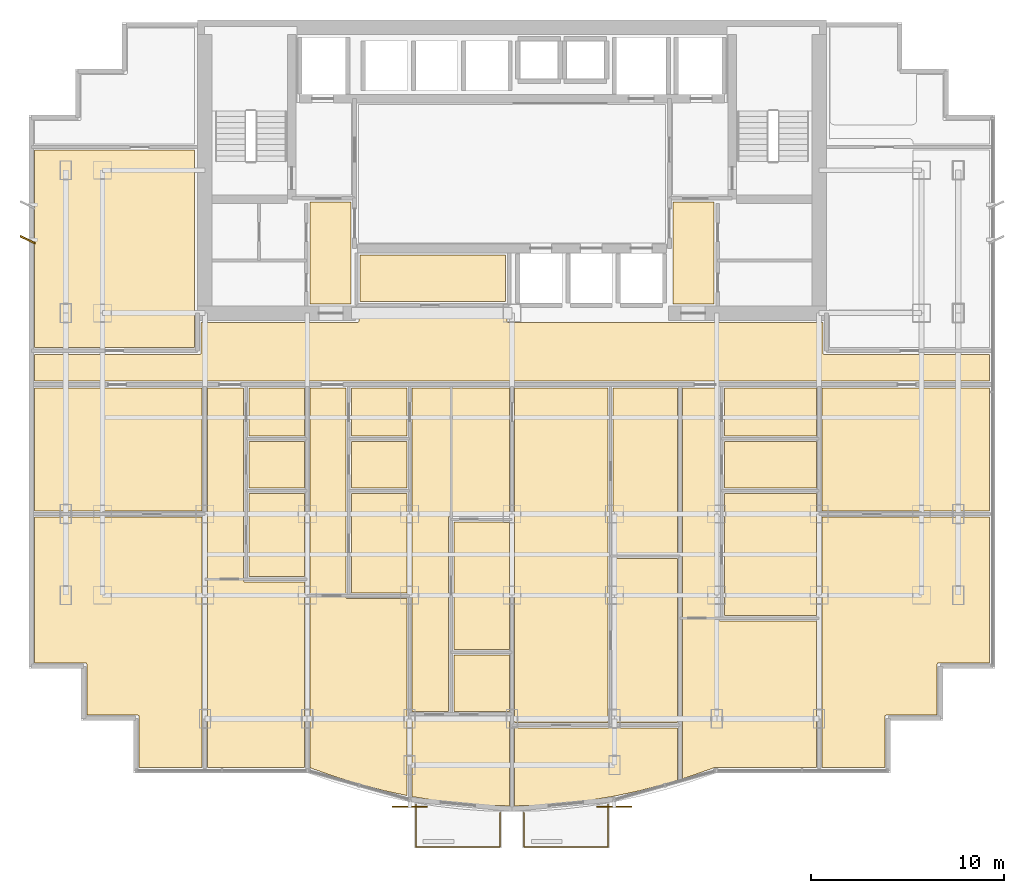
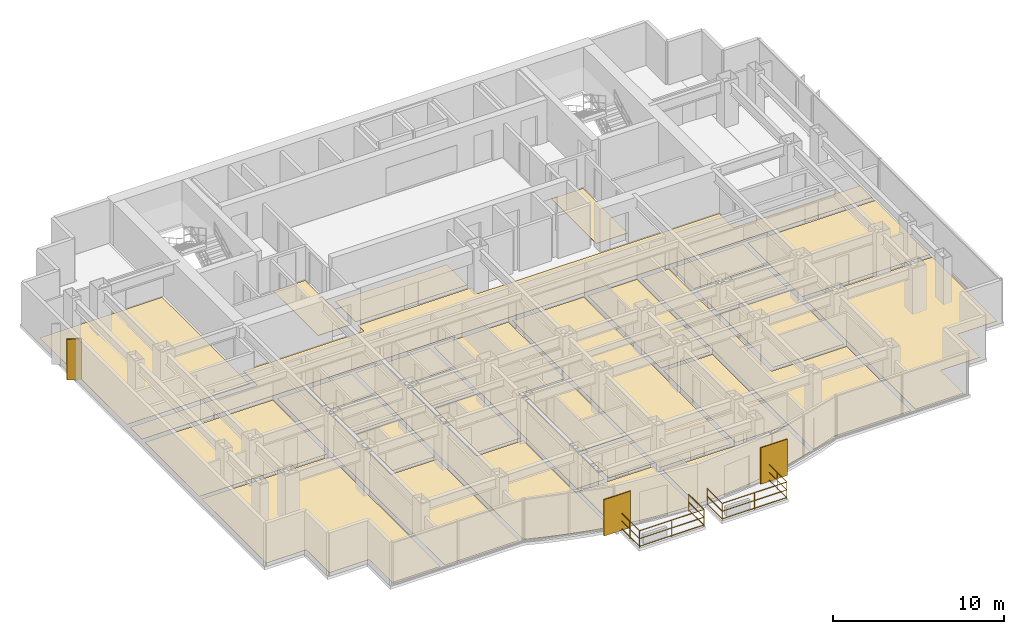
# One storey, part 11 of 12: 29 coverings, 3 shading devices, 2 railings.
"""IFC4 building model written with IfcOpenShell, lengths in metres."""

from ifc_helpers import new_model, si_unit, direction, frame, origin, origin_2d, place, context, subcontext, project, spatial, polyline, rectangle, circle, outline, extrude, source, transform, mapped, material, layer, layer_set, type_object, element, save


model = new_model("IFC4")

# Units and contexts
model_context = context("Model", 3, precision=1e-05, world=origin(), true_north=direction((0.0, 1.0)))
body_context = subcontext(model_context, "Body", "Model", "MODEL_VIEW")
ifc_project = project(units=[si_unit("LENGTHUNIT", "METRE"), si_unit("AREAUNIT", "SQUARE_METRE"), si_unit("VOLUMEUNIT", "CUBIC_METRE"), si_unit("PLANEANGLEUNIT", "RADIAN"), si_unit("MASSUNIT", "GRAM", prefix="KILO")], contexts=[model_context])

# Site, building, storey
site_placement = place(None, origin())
site = spatial("IfcSite", under=ifc_project, at=site_placement, CompositionType="ELEMENT")
building_placement = place(site_placement, origin())
building = spatial("IfcBuilding", under=site, at=building_placement, Name="Qianlan Lanfeng Residences", CompositionType="ELEMENT")
storey_placement = place(building_placement, frame((0.0, 0.0, 121.300048828125)))
storey = spatial("IfcBuildingStorey", under=building, at=storey_placement, Name="L33", CompositionType="ELEMENT", Elevation=121.300048828125)

# Coverings
ifc_material_1 = material(Name="Honed Taitung Granite Stone Flooring", Category="masonry")
ifc_layer_1 = layer(ifc_material_1, 0.030029296875)
ifc_layer_set_1 = layer_set([ifc_layer_1], Name="Honed Taitung Granite Stone Flooring")
covering_type_1 = type_object("IfcCoveringType", Name="FLR-STN-30", PredefinedType="FLOORING", material=ifc_layer_set_1)
covering_1_placement = place(storey_placement, origin())
element("IfcCovering", 1, at=covering_1_placement, inside=storey, type_object=covering_type_1, Name="L33 Residential Corridor Floor Finish", PredefinedType="FLOORING", context=body_context, shape_type="SweptSolid", body=[
    extrude(outline(polyline([(1.7900390625, 21.679931640625), (51.2099609375, 21.679931640625), (51.2099609375, 23.070068359375), (42.6650390625, 23.070068359375), (42.657958984375, 23.070068359375), (42.65087890625, 23.071044921875), (42.64501953125, 23.072998046875), (42.637939453125, 23.074951171875), (42.632080078125, 23.077880859375), (42.6259765625, 23.08203125), (42.62109375, 23.0859375), (42.615966796875, 23.091064453125), (42.611083984375, 23.095947265625), (42.60693359375, 23.10107421875), (42.60302734375, 23.10693359375), (42.60009765625, 23.113037109375), (42.597900390625, 23.1201171875), (42.595947265625, 23.1259765625), (42.594970703125, 23.133056640625), (42.594970703125, 23.139892578125), (42.594970703125, 24.72509765625), (26.300048828125, 24.72509765625), (26.29296875, 24.72509765625), (26.285888671875, 24.72607421875), (26.280029296875, 24.72802734375), (26.27294921875, 24.72998046875), (26.26708984375, 24.73291015625), (26.260986328125, 24.737060546875), (26.256103515625, 24.740966796875), (26.2509765625, 24.74609375), (26.24609375, 24.7509765625), (26.241943359375, 24.756103515625), (26.238037109375, 24.761962890625), (26.235107421875, 24.76806640625), (26.23291015625, 24.77490234375), (26.23095703125, 24.781005859375), (26.22998046875, 24.7880859375), (26.22998046875, 24.794921875), (26.22998046875, 25.429931640625), (18.570068359375, 25.429931640625), (18.570068359375, 24.794921875), (18.570068359375, 24.7880859375), (18.569091796875, 24.781005859375), (18.56689453125, 24.77490234375), (18.56494140625, 24.76806640625), (18.56201171875, 24.761962890625), (18.55810546875, 24.756103515625), (18.553955078125, 24.7509765625), (18.549072265625, 24.74609375), (18.5439453125, 24.740966796875), (18.5390625, 24.737060546875), (18.532958984375, 24.73291015625), (18.527099609375, 24.72998046875), (18.52001953125, 24.72802734375), (18.513916015625, 24.72607421875), (18.507080078125, 24.72509765625), (18.5, 24.72509765625), (10.405029296875, 24.72509765625), (10.405029296875, 23.139892578125), (10.405029296875, 23.133056640625), (10.404052734375, 23.1259765625), (10.402099609375, 23.1201171875), (10.39990234375, 23.113037109375), (10.39697265625, 23.10693359375), (10.39306640625, 23.10107421875), (10.388916015625, 23.095947265625), (10.384033203125, 23.091064453125), (10.37890625, 23.0859375), (10.3740234375, 23.08203125), (10.367919921875, 23.077880859375), (10.362060546875, 23.074951171875), (10.35498046875, 23.072998046875), (10.34912109375, 23.071044921875), (10.342041015625, 23.070068359375), (10.3349609375, 23.070068359375), (1.7900390625, 23.070068359375), (1.7900390625, 21.679931640625)])), origin(), (0.0, 0.0, 1.0), 0.030029296875),
])
covering_2_placement = place(storey_placement, origin())
element("IfcCovering", 2, at=covering_2_placement, inside=storey, type_object=covering_type_1, Name="L33 Lift Lobby Floor Finish", PredefinedType="FLOORING", context=body_context, shape_type="SweptSolid", body=[
    extrude(outline(polyline([(16.030029296875, 25.68505859375), (18.169921875, 25.68505859375), (18.169921875, 30.949951171875), (16.030029296875, 30.949951171875), (16.030029296875, 25.68505859375)])), origin(), (0.0, 0.0, 1.0), 0.030029296875),
])
covering_3_placement = place(storey_placement, origin())
element("IfcCovering", 3, at=covering_3_placement, inside=storey, type_object=covering_type_1, Name="L33 Lift Lobby Floor Finish", PredefinedType="FLOORING", context=body_context, shape_type="SweptSolid", body=[
    extrude(outline(polyline([(34.830078125, 25.68505859375), (36.969970703125, 25.68505859375), (36.969970703125, 30.949951171875), (34.830078125, 30.949951171875), (34.830078125, 25.68505859375)])), origin(), (0.0, 0.0, 1.0), 0.030029296875),
])
ifc_material_2 = material(Name="Slip-Resistant Porcelain Tile Flooring")
ifc_layer_2 = layer(ifc_material_2, 0.02001953125)
ifc_layer_set_2 = layer_set([ifc_layer_2], Name="Slip-Resistant Porcelain Tile Flooring")
covering_type_2 = type_object("IfcCoveringType", Name="FLR-TIL-20", PredefinedType="FLOORING", material=ifc_layer_set_2)
covering_4_placement = place(storey_placement, origin())
element("IfcCovering", 4, at=covering_4_placement, inside=storey, type_object=covering_type_2, Name="L33 Kitchen Floor Finish", PredefinedType="FLOORING", context=body_context, shape_type="SweptSolid", body=[
    extrude(outline(polyline([(12.889892578125, 16.139892578125), (15.760009765625, 16.139892578125), (15.760009765625, 18.56005859375), (12.889892578125, 18.56005859375), (12.889892578125, 16.139892578125)])), origin(), (0.0, 0.0, 1.0), 0.02001953125),
])
covering_5_placement = place(storey_placement, origin())
element("IfcCovering", 5, at=covering_5_placement, inside=storey, type_object=covering_type_2, Name="L33 Bathroom Floor Finish", PredefinedType="FLOORING", context=body_context, shape_type="SweptSolid", body=[
    extrude(outline(polyline([(12.889892578125, 18.840087890625), (15.760009765625, 18.840087890625), (15.760009765625, 21.330078125), (12.889892578125, 21.330078125), (12.889892578125, 18.840087890625)])), origin(), (0.0, 0.0, 1.0), 0.02001953125),
])
covering_6_placement = place(storey_placement, origin())
element("IfcCovering", 6, at=covering_6_placement, inside=storey, type_object=covering_type_2, Name="L33 Kitchen Floor Finish", PredefinedType="FLOORING", context=body_context, shape_type="SweptSolid", body=[
    extrude(outline(polyline([(18.18994140625, 16.139892578125), (21.06005859375, 16.139892578125), (21.06005859375, 18.56005859375), (18.18994140625, 18.56005859375), (18.18994140625, 16.139892578125)])), origin(), (0.0, 0.0, 1.0), 0.02001953125),
])
covering_7_placement = place(storey_placement, origin())
element("IfcCovering", 7, at=covering_7_placement, inside=storey, type_object=covering_type_2, Name="L33 Bathroom Floor Finish", PredefinedType="FLOORING", context=body_context, shape_type="SweptSolid", body=[
    extrude(outline(polyline([(18.18994140625, 18.840087890625), (21.06005859375, 18.840087890625), (21.06005859375, 21.330078125), (18.18994140625, 21.330078125), (18.18994140625, 18.840087890625)])), origin(), (0.0, 0.0, 1.0), 0.02001953125),
])
covering_8_placement = place(storey_placement, origin())
element("IfcCovering", 8, at=covering_8_placement, inside=storey, type_object=covering_type_2, Name="L33 En-Suite Bathroom Floor Finish", PredefinedType="FLOORING", context=body_context, shape_type="SweptSolid", body=[
    extrude(outline(polyline([(23.489990234375, 4.5869140625), (26.3701171875, 4.5869140625), (26.3701171875, 7.507080078125), (23.489990234375, 7.507080078125), (23.489990234375, 4.5869140625)])), origin(), (0.0, 0.0, 1.0), 0.02001953125),
])
covering_9_placement = place(storey_placement, origin())
element("IfcCovering", 9, at=covering_9_placement, inside=storey, type_object=covering_type_2, Name="L33 Kitchen Floor Finish", PredefinedType="FLOORING", context=body_context, shape_type="SweptSolid", body=[
    extrude(outline(polyline([(37.489990234375, 16.139892578125), (42.260009765625, 16.139892578125), (42.260009765625, 18.56005859375), (37.489990234375, 18.56005859375), (37.489990234375, 16.139892578125)])), origin(), (0.0, 0.0, 1.0), 0.02001953125),
])
covering_10_placement = place(storey_placement, origin())
element("IfcCovering", 10, at=covering_10_placement, inside=storey, type_object=covering_type_2, Name="L33 Bathroom Floor Finish", PredefinedType="FLOORING", context=body_context, shape_type="SweptSolid", body=[
    extrude(outline(polyline([(37.489990234375, 18.840087890625), (42.260009765625, 18.840087890625), (42.260009765625, 21.330078125), (37.489990234375, 21.330078125), (37.489990234375, 18.840087890625)])), origin(), (0.0, 0.0, 1.0), 0.02001953125),
])
ifc_material_3 = material(Name="Engineered Smoked Oak Timber Flooring", Category="wood")
ifc_layer_3 = layer(ifc_material_3, 0.02197265625)
ifc_layer_set_3 = layer_set([ifc_layer_3], Name="Engineered Smoked Oak Timber Flooring")
covering_type_3 = type_object("IfcCoveringType", Name="FLR-TIM-22", PredefinedType="FLOORING", material=ifc_layer_set_3)
covering_11_placement = place(storey_placement, origin())
element("IfcCovering", 11, at=covering_11_placement, inside=storey, type_object=covering_type_3, Name="L33 Gallery Salon Floor Finish", PredefinedType="FLOORING", context=body_context, shape_type="SweptSolid", body=[
    extrude(outline(polyline([(18.6298828125, 25.800048828125), (26.169921875, 25.800048828125), (26.169921875, 28.205078125), (18.6298828125, 28.205078125), (18.6298828125, 25.800048828125)])), origin(), (0.0, 0.0, 1.0), 0.02197265625),
])
covering_12_placement = place(storey_placement, origin())
element("IfcCovering", 12, at=covering_12_placement, inside=storey, type_object=covering_type_3, Name="L33 Studio Living Room Floor Finish", PredefinedType="FLOORING", context=body_context, shape_type="SweptSolid", body=[
    extrude(outline(polyline([(15.77001953125, 1.68994140625), (15.77001953125, 11.280029296875), (12.679931640625, 11.280029296875), (12.673095703125, 11.280029296875), (12.666015625, 11.281005859375), (12.659912109375, 11.282958984375), (12.653076171875, 11.284912109375), (12.64697265625, 11.2880859375), (12.64111328125, 11.2919921875), (12.635986328125, 11.2958984375), (12.631103515625, 11.301025390625), (12.6259765625, 11.305908203125), (12.6220703125, 11.31103515625), (12.617919921875, 11.31689453125), (12.614990234375, 11.322998046875), (12.613037109375, 11.330078125), (12.611083984375, 11.3359375), (12.610107421875, 11.343017578125), (12.610107421875, 11.35009765625), (12.610107421875, 21.330078125), (10.72998046875, 21.330078125), (10.72998046875, 1.68994140625), (15.77001953125, 1.68994140625)])), origin(), (0.0, 0.0, 1.0), 0.02197265625),
])
covering_13_placement = place(storey_placement, origin())
element("IfcCovering", 13, at=covering_13_placement, inside=storey, type_object=covering_type_3, Name="L33 Villa Family Sitting Room Floor Finish", PredefinedType="FLOORING", context=body_context, shape_type="SweptSolid", body=[
    extrude(outline(polyline([(12.889892578125, 15.860107421875), (12.889892578125, 11.56005859375), (15.77001953125, 11.56005859375), (15.77001953125, 15.860107421875), (12.889892578125, 15.860107421875)])), origin(), (0.0, 0.0, 1.0), 0.02197265625),
])
covering_14_placement = place(storey_placement, origin())
element("IfcCovering", 14, at=covering_14_placement, inside=storey, type_object=covering_type_3, Name="L33 Living and Dining Room Floor Finish", PredefinedType="FLOORING", context=body_context, shape_type="SweptSolid", body=[
    extrude(outline(polyline([(21.070068359375, 0.22607421875), (21.070068359375, 10.419921875), (17.97998046875, 10.419921875), (17.972900390625, 10.419921875), (17.966064453125, 10.4208984375), (17.9599609375, 10.423095703125), (17.952880859375, 10.425048828125), (17.947021484375, 10.427978515625), (17.94091796875, 10.431884765625), (17.93603515625, 10.43603515625), (17.930908203125, 10.44091796875), (17.926025390625, 10.446044921875), (17.922119140625, 10.450927734375), (17.91796875, 10.45703125), (17.9150390625, 10.462890625), (17.9130859375, 10.469970703125), (17.910888671875, 10.47607421875), (17.909912109375, 10.48291015625), (17.909912109375, 10.489990234375), (17.909912109375, 21.330078125), (16.030029296875, 21.330078125), (16.030029296875, 1.6689453125), (17.3330078125, 1.2060546875), (18.64404296875, 0.803955078125), (19.9541015625, 0.462890625), (21.070068359375, 0.22607421875)])), origin(), (0.0, 0.0, 1.0), 0.02197265625),
])
covering_15_placement = place(storey_placement, origin())
element("IfcCovering", 15, at=covering_15_placement, inside=storey, type_object=covering_type_3, Name="L33 Villa Family Sitting Room Floor Finish", PredefinedType="FLOORING", context=body_context, shape_type="SweptSolid", body=[
    extrude(outline(polyline([(18.18994140625, 15.860107421875), (18.18994140625, 10.699951171875), (21.070068359375, 10.699951171875), (21.070068359375, 15.860107421875), (18.18994140625, 15.860107421875)])), origin(), (0.0, 0.0, 1.0), 0.02197265625),
])
covering_16_placement = place(storey_placement, origin())
element("IfcCovering", 16, at=covering_16_placement, inside=storey, type_object=covering_type_3, Name="L33 Private Study Floor Finish", PredefinedType="FLOORING", context=body_context, shape_type="SweptSolid", body=[
    extrude(outline(polyline([(23.489990234375, 7.787109375), (26.3701171875, 7.787109375), (26.3701171875, 14.383056640625), (23.489990234375, 14.383056640625), (23.489990234375, 7.787109375)])), origin(), (0.0, 0.0, 1.0), 0.02197265625),
])
covering_17_placement = place(storey_placement, origin())
element("IfcCovering", 17, at=covering_17_placement, inside=storey, type_object=covering_type_3, Name="L33 Villa Family Sitting Room Floor Finish", PredefinedType="FLOORING", context=body_context, shape_type="SweptSolid", body=[
    extrude(outline(polyline([(21.330078125, 4.5869140625), (23.2099609375, 4.5869140625), (23.2099609375, 14.593017578125), (23.2099609375, 14.60009765625), (23.2109375, 14.60693359375), (23.212890625, 14.613037109375), (23.215087890625, 14.6201171875), (23.218017578125, 14.6259765625), (23.221923828125, 14.632080078125), (23.22607421875, 14.636962890625), (23.23095703125, 14.64208984375), (23.236083984375, 14.64697265625), (23.240966796875, 14.65087890625), (23.2470703125, 14.655029296875), (23.2529296875, 14.657958984375), (23.260009765625, 14.659912109375), (23.26611328125, 14.662109375), (23.27294921875, 14.6630859375), (23.280029296875, 14.6630859375), (26.3701171875, 14.6630859375), (26.3701171875, 21.330078125), (21.330078125, 21.330078125), (21.330078125, 4.5869140625)])), origin(), (0.0, 0.0, 1.0), 0.02197265625),
])
covering_18_placement = place(storey_placement, origin())
element("IfcCovering", 18, at=covering_18_placement, inside=storey, type_object=covering_type_3, Name="L33 Master Bedroom Floor Finish", PredefinedType="FLOORING", context=body_context, shape_type="SweptSolid", body=[
    extrude(outline(polyline([(21.330078125, 4.306884765625), (21.330078125, 0.174072265625), (22.572998046875, -0.031982421875), (23.882080078125, -0.18603515625), (25.19091796875, -0.279052734375), (26.3701171875, -0.306884765625), (26.3701171875, 4.306884765625), (21.330078125, 4.306884765625)])), origin(), (0.0, 0.0, 1.0), 0.02197265625),
])
covering_19_placement = place(storey_placement, origin())
element("IfcCovering", 19, at=covering_19_placement, inside=storey, type_object=covering_type_3, Name="L33 Bedroom Floor Finish", PredefinedType="FLOORING", context=body_context, shape_type="SweptSolid", body=[
    extrude(outline(polyline([(26.6298828125, 3.735107421875), (26.6298828125, -0.306884765625), (27.80810546875, -0.279052734375), (29.117919921875, -0.18603515625), (30.426025390625, -0.031982421875), (31.736083984375, 0.18505859375), (33.044921875, 0.462890625), (34.35595703125, 0.803955078125), (35.070068359375, 1.02294921875), (35.070068359375, 3.735107421875), (26.6298828125, 3.735107421875)])), origin(), (0.0, 0.0, 1.0), 0.02197265625),
])
covering_20_placement = place(storey_placement, origin())
element("IfcCovering", 20, at=covering_20_placement, inside=storey, type_object=covering_type_3, Name="L33 Private Study Floor Finish", PredefinedType="FLOORING", context=body_context, shape_type="SweptSolid", body=[
    extrude(outline(polyline([(31.739990234375, 4.014892578125), (35.070068359375, 4.014892578125), (35.070068359375, 12.4970703125), (31.739990234375, 12.4970703125), (31.739990234375, 4.014892578125)])), origin(), (0.0, 0.0, 1.0), 0.02197265625),
])
covering_21_placement = place(storey_placement, origin())
element("IfcCovering", 21, at=covering_21_placement, inside=storey, type_object=covering_type_3, Name="L33 Aerobics Studio Floor Finish", PredefinedType="FLOORING", context=body_context, shape_type="SweptSolid", body=[
    extrude(outline(polyline([(31.739990234375, 12.777099609375), (35.070068359375, 12.777099609375), (35.070068359375, 21.330078125), (31.739990234375, 21.330078125), (31.739990234375, 12.777099609375)])), origin(), (0.0, 0.0, 1.0), 0.02197265625),
])
covering_22_placement = place(storey_placement, origin())
element("IfcCovering", 22, at=covering_22_placement, inside=storey, type_object=covering_type_3, Name="L33 Home Office Floor Finish", PredefinedType="FLOORING", context=body_context, shape_type="SweptSolid", body=[
    extrude(outline(polyline([(26.6298828125, 4.014892578125), (31.4599609375, 4.014892578125), (31.4599609375, 21.330078125), (26.6298828125, 21.330078125), (26.6298828125, 4.014892578125)])), origin(), (0.0, 0.0, 1.0), 0.02197265625),
])
covering_23_placement = place(storey_placement, origin())
element("IfcCovering", 23, at=covering_23_placement, inside=storey, type_object=covering_type_3, Name="L33 Studio Living Room Floor Finish", PredefinedType="FLOORING", context=body_context, shape_type="SweptSolid", body=[
    extrude(outline(polyline([(42.27001953125, 1.68994140625), (42.27001953125, 9.258056640625), (37.280029296875, 9.258056640625), (37.27294921875, 9.258056640625), (37.26611328125, 9.259033203125), (37.260009765625, 9.260986328125), (37.2529296875, 9.262939453125), (37.2470703125, 9.26611328125), (37.240966796875, 9.27001953125), (37.236083984375, 9.27392578125), (37.23095703125, 9.279052734375), (37.22607421875, 9.283935546875), (37.221923828125, 9.2890625), (37.218017578125, 9.294921875), (37.215087890625, 9.301025390625), (37.212890625, 9.30810546875), (37.2109375, 9.31396484375), (37.2099609375, 9.321044921875), (37.2099609375, 9.327880859375), (37.2099609375, 21.330078125), (35.330078125, 21.330078125), (35.330078125, 1.10302734375), (35.6669921875, 1.2060546875), (37.01904296875, 1.68603515625), (37.02587890625, 1.68798828125), (37.033935546875, 1.68994140625), (37.0419921875, 1.68994140625), (42.27001953125, 1.68994140625)])), origin(), (0.0, 0.0, 1.0), 0.02197265625),
])
covering_24_placement = place(storey_placement, origin())
element("IfcCovering", 24, at=covering_24_placement, inside=storey, type_object=covering_type_3, Name="L33 Villa Family Sitting Room Floor Finish", PredefinedType="FLOORING", context=body_context, shape_type="SweptSolid", body=[
    extrude(outline(polyline([(37.489990234375, 15.860107421875), (37.489990234375, 9.5380859375), (42.27001953125, 9.5380859375), (42.27001953125, 15.860107421875), (37.489990234375, 15.860107421875)])), origin(), (0.0, 0.0, 1.0), 0.02197265625),
])
covering_25_placement = place(storey_placement, origin())
element("IfcCovering", 25, at=covering_25_placement, inside=storey, type_object=covering_type_3, Name="L33 Sunroom Floor Finish", PredefinedType="FLOORING", context=body_context, shape_type="SweptSolid", body=[
    extrude(outline(polyline([(10.43994140625, 14.64990234375), (1.7900390625, 14.64990234375), (1.7900390625, 7.090087890625), (4.419921875, 7.090087890625), (4.427001953125, 7.090087890625), (4.43408203125, 7.089111328125), (4.43994140625, 7.0869140625), (4.447021484375, 7.0849609375), (4.452880859375, 7.08203125), (4.458984375, 7.077880859375), (4.464111328125, 7.073974609375), (4.468994140625, 7.069091796875), (4.47412109375, 7.06396484375), (4.47802734375, 7.05908203125), (4.48193359375, 7.052978515625), (4.485107421875, 7.047119140625), (4.487060546875, 7.0400390625), (4.489013671875, 7.033935546875), (4.489990234375, 7.027099609375), (4.489990234375, 7.02001953125), (4.489990234375, 4.389892578125), (7.1201171875, 4.389892578125), (7.126953125, 4.389892578125), (7.134033203125, 4.388916015625), (7.139892578125, 4.386962890625), (7.14697265625, 4.385009765625), (7.153076171875, 4.382080078125), (7.158935546875, 4.3779296875), (7.1640625, 4.3740234375), (7.1689453125, 4.368896484375), (7.174072265625, 4.364013671875), (7.177978515625, 4.35888671875), (7.181884765625, 4.35302734375), (7.18505859375, 4.346923828125), (7.18701171875, 4.340087890625), (7.18896484375, 4.333984375), (7.18994140625, 4.326904296875), (7.18994140625, 4.320068359375), (7.18994140625, 1.68994140625), (10.43994140625, 1.68994140625), (10.43994140625, 14.64990234375)])), origin(), (0.0, 0.0, 1.0), 0.02197265625),
])
covering_26_placement = place(storey_placement, origin())
element("IfcCovering", 26, at=covering_26_placement, inside=storey, type_object=covering_type_3, Name="L33 Family Sitting Room Floor Finish", PredefinedType="FLOORING", context=body_context, shape_type="SweptSolid", body=[
    extrude(outline(polyline([(10.43994140625, 21.330078125), (1.7900390625, 21.330078125), (1.7900390625, 14.949951171875), (10.43994140625, 14.949951171875), (10.43994140625, 21.330078125)])), origin(), (0.0, 0.0, 1.0), 0.02197265625),
])
covering_27_placement = place(storey_placement, origin())
element("IfcCovering", 27, at=covering_27_placement, inside=storey, type_object=covering_type_3, Name="L33 Sunroom Floor Finish", PredefinedType="FLOORING", context=body_context, shape_type="SweptSolid", body=[
    extrude(outline(polyline([(51.2099609375, 14.64990234375), (42.56005859375, 14.64990234375), (42.56005859375, 1.68994140625), (45.81005859375, 1.68994140625), (45.81005859375, 4.320068359375), (45.81005859375, 4.326904296875), (45.81103515625, 4.333984375), (45.81298828125, 4.340087890625), (45.81494140625, 4.346923828125), (45.818115234375, 4.35302734375), (45.822021484375, 4.35888671875), (45.825927734375, 4.364013671875), (45.8310546875, 4.368896484375), (45.8359375, 4.3740234375), (45.841064453125, 4.3779296875), (45.846923828125, 4.382080078125), (45.85302734375, 4.385009765625), (45.860107421875, 4.386962890625), (45.865966796875, 4.388916015625), (45.873046875, 4.389892578125), (45.8798828125, 4.389892578125), (48.510009765625, 4.389892578125), (48.510009765625, 7.02001953125), (48.510009765625, 7.027099609375), (48.510986328125, 7.033935546875), (48.512939453125, 7.0400390625), (48.514892578125, 7.047119140625), (48.51806640625, 7.052978515625), (48.52197265625, 7.05908203125), (48.52587890625, 7.06396484375), (48.531005859375, 7.069091796875), (48.535888671875, 7.073974609375), (48.541015625, 7.077880859375), (48.547119140625, 7.08203125), (48.552978515625, 7.0849609375), (48.56005859375, 7.0869140625), (48.56591796875, 7.089111328125), (48.572998046875, 7.090087890625), (48.580078125, 7.090087890625), (51.2099609375, 7.090087890625), (51.2099609375, 14.64990234375)])), origin(), (0.0, 0.0, 1.0), 0.02197265625),
])
covering_28_placement = place(storey_placement, origin())
element("IfcCovering", 28, at=covering_28_placement, inside=storey, type_object=covering_type_3, Name="L33 Private Study Floor Finish", PredefinedType="FLOORING", context=body_context, shape_type="SweptSolid", body=[
    extrude(outline(polyline([(51.2099609375, 21.330078125), (42.56005859375, 21.330078125), (42.56005859375, 14.949951171875), (51.2099609375, 14.949951171875), (51.2099609375, 21.330078125)])), origin(), (0.0, 0.0, 1.0), 0.02197265625),
])
covering_29_placement = place(storey_placement, origin())
element("IfcCovering", 29, at=covering_29_placement, inside=storey, type_object=covering_type_3, Name="L33 Aerobics Studio Floor Finish", PredefinedType="FLOORING", context=body_context, shape_type="SweptSolid", body=[
    extrude(outline(polyline([(10.074951171875, 33.64990234375), (1.7900390625, 33.64990234375), (1.7900390625, 23.429931640625), (10.074951171875, 23.429931640625), (10.074951171875, 33.64990234375)])), origin(), (0.0, 0.0, 1.0), 0.02197265625),
])

# Railings
ifc_material_4 = material(Name="Anodised Bronze Aluminium and Laminated Glass Guard Balustrade", Category="aluminium")
railing_type = type_object("IfcRailingType", Name="GR-EXT-1220", PredefinedType="BALUSTRADE", material=ifc_material_4)
railing_1_placement = place(storey_placement, frame((25.8798828125, -0.655029296875, 0.0)))
element("IfcRailing", 30, at=railing_1_placement, inside=storey, type_object=railing_type, Name="L33 Terrace Safety Guard GR-L33-SB-W", PredefinedType="BALUSTRADE", context=body_context, shape_type="SweptSolid", body=[
    extrude(circle(Radius=0.02490234375, at=origin_2d()), frame((0.0, 0.0, 0.0849609375), z_axis=(0.0, -1.0, 0.0), x_axis=(1.0, 0.0, 0.0)), (0.0, 0.0, 1.0), 1.77490234375),
    extrude(circle(Radius=0.02490234375, at=origin_2d()), frame((0.0, 0.0, 0.63427734375), z_axis=(0.0, -1.0, 0.0), x_axis=(1.0, 0.0, 0.0)), (0.0, 0.0, 1.0), 1.77490234375),
    extrude(circle(Radius=0.02490234375, at=origin_2d()), frame((0.0, 0.0, 1.19482421875), z_axis=(0.0, -1.0, 0.0), x_axis=(1.0, 0.0, 0.0)), (0.0, 0.0, 1.0), 1.77490234375),
    extrude(circle(Radius=0.02490234375, at=origin_2d()), frame((0.0, -1.77490234375, 0.0849609375), z_axis=(-1.0, 0.0, 0.0), x_axis=(0.0, -1.0, 0.0)), (0.0, 0.0, 1.0), 4.35986328125),
    extrude(circle(Radius=0.02490234375, at=origin_2d()), frame((0.0, -1.77490234375, 0.63427734375), z_axis=(-1.0, 0.0, 0.0), x_axis=(0.0, -1.0, 0.0)), (0.0, 0.0, 1.0), 4.35986328125),
    extrude(circle(Radius=0.02490234375, at=origin_2d()), frame((0.0, -1.77490234375, 1.19482421875), z_axis=(-1.0, 0.0, 0.0), x_axis=(0.0, -1.0, 0.0)), (0.0, 0.0, 1.0), 4.35986328125),
    extrude(circle(Radius=0.02490234375, at=origin_2d()), frame((-4.35986328125, -1.77490234375, 0.0849609375), z_axis=(0.0, 1.0, 0.0), x_axis=(-1.0, 0.0, 0.0)), (0.0, 0.0, 1.0), 2.20703125),
    extrude(circle(Radius=0.02490234375, at=origin_2d()), frame((-4.35986328125, -1.77490234375, 0.63427734375), z_axis=(0.0, 1.0, 0.0), x_axis=(-1.0, 0.0, 0.0)), (0.0, 0.0, 1.0), 2.20703125),
    extrude(circle(Radius=0.02490234375, at=origin_2d()), frame((-4.35986328125, -1.77490234375, 1.19482421875), z_axis=(0.0, 1.0, 0.0), x_axis=(-1.0, 0.0, 0.0)), (0.0, 0.0, 1.0), 2.20703125),
    extrude(circle(Radius=0.02099609375, at=origin_2d()), origin(), (0.0, 0.0, 1.0), 1.169921875),
    extrude(circle(Radius=0.02099609375, at=origin_2d()), frame((0.0, -1.77490234375, 0.0)), (0.0, 0.0, 1.0), 1.169921875),
    extrude(circle(Radius=0.02099609375, at=origin_2d()), frame((-2.179931640625, -1.77490234375, 0.0)), (0.0, 0.0, 1.0), 1.169921875),
    extrude(circle(Radius=0.02099609375, at=origin_2d()), frame((-4.35986328125, -1.77490234375, 0.0)), (0.0, 0.0, 1.0), 1.169921875),
    extrude(circle(Radius=0.02099609375, at=origin_2d()), frame((-4.35986328125, -0.67138671875, 0.0)), (0.0, 0.0, 1.0), 1.169921875),
    extrude(circle(Radius=0.02099609375, at=origin_2d()), frame((-4.35986328125, 0.43212890625, 0.0)), (0.0, 0.0, 1.0), 1.169921875),
])
railing_2_placement = place(storey_placement, frame((31.47998046875, -0.222900390625, 0.0)))
element("IfcRailing", 31, at=railing_2_placement, inside=storey, type_object=railing_type, Name="L33 Terrace Safety Guard GR-L33-SB-E", PredefinedType="BALUSTRADE", context=body_context, shape_type="SweptSolid", body=[
    extrude(circle(Radius=0.02490234375, at=origin_2d()), frame((0.0, 0.0, 0.0849609375), z_axis=(0.0, -1.0, 0.0), x_axis=(1.0, 0.0, 0.0)), (0.0, 0.0, 1.0), 2.20703125),
    extrude(circle(Radius=0.02490234375, at=origin_2d()), frame((0.0, 0.0, 0.63427734375), z_axis=(0.0, -1.0, 0.0), x_axis=(1.0, 0.0, 0.0)), (0.0, 0.0, 1.0), 2.20703125),
    extrude(circle(Radius=0.02490234375, at=origin_2d()), frame((0.0, 0.0, 1.19482421875), z_axis=(0.0, -1.0, 0.0), x_axis=(1.0, 0.0, 0.0)), (0.0, 0.0, 1.0), 2.20703125),
    extrude(circle(Radius=0.02490234375, at=origin_2d()), frame((0.0, -2.20703125, 0.0849609375), z_axis=(-1.0, 0.0, 0.0), x_axis=(0.0, -1.0, 0.0)), (0.0, 0.0, 1.0), 4.35986328125),
    extrude(circle(Radius=0.02490234375, at=origin_2d()), frame((0.0, -2.20703125, 0.63427734375), z_axis=(-1.0, 0.0, 0.0), x_axis=(0.0, -1.0, 0.0)), (0.0, 0.0, 1.0), 4.35986328125),
    extrude(circle(Radius=0.02490234375, at=origin_2d()), frame((0.0, -2.20703125, 1.19482421875), z_axis=(-1.0, 0.0, 0.0), x_axis=(0.0, -1.0, 0.0)), (0.0, 0.0, 1.0), 4.35986328125),
    extrude(circle(Radius=0.02490234375, at=origin_2d()), frame((-4.35986328125, -2.20703125, 0.0849609375), z_axis=(0.0, 1.0, 0.0), x_axis=(-1.0, 0.0, 0.0)), (0.0, 0.0, 1.0), 1.77490234375),
    extrude(circle(Radius=0.02490234375, at=origin_2d()), frame((-4.35986328125, -2.20703125, 0.63427734375), z_axis=(0.0, 1.0, 0.0), x_axis=(-1.0, 0.0, 0.0)), (0.0, 0.0, 1.0), 1.77490234375),
    extrude(circle(Radius=0.02490234375, at=origin_2d()), frame((-4.35986328125, -2.20703125, 1.19482421875), z_axis=(0.0, 1.0, 0.0), x_axis=(-1.0, 0.0, 0.0)), (0.0, 0.0, 1.0), 1.77490234375),
    extrude(circle(Radius=0.02099609375, at=origin_2d()), origin(), (0.0, 0.0, 1.0), 1.169921875),
    extrude(circle(Radius=0.02099609375, at=origin_2d()), frame((0.0, -1.103515625, 0.0)), (0.0, 0.0, 1.0), 1.169921875),
    extrude(circle(Radius=0.02099609375, at=origin_2d()), frame((0.0, -2.20703125, 0.0)), (0.0, 0.0, 1.0), 1.169921875),
    extrude(circle(Radius=0.02099609375, at=origin_2d()), frame((-2.179931640625, -2.20703125, 0.0)), (0.0, 0.0, 1.0), 1.169921875),
    extrude(circle(Radius=0.02099609375, at=origin_2d()), frame((-4.35986328125, -2.20703125, 0.0)), (0.0, 0.0, 1.0), 1.169921875),
    extrude(circle(Radius=0.02099609375, at=origin_2d()), frame((-4.35986328125, -0.43212890625, 0.0)), (0.0, 0.0, 1.0), 1.169921875),
])

# Shading devices
ifc_material_5 = material(Name="Perforated Bronze Aluminium Solar Screen", Category="aluminium")
shading_device_type_1 = type_object("IfcShadingDeviceType", Name="SCR-BRZ-1800", PredefinedType="JALOUSIE", material=ifc_material_5)
shared_shape_1 = source(origin(), body_context, "Body", "SweptSolid", [
    extrude(rectangle(XDim=1.800048828125, YDim=0.06005859375, at=origin_2d()), origin(), (0.0, 0.0, 1.0), 2.60009765625),
])
for number, where, z_axis, x_axis, name in (
    (32, (21.199951171875, -0.360107421875, 0.0), (0.0, 0.0, 1.0), (1.0, 0.0, 0.0), "L33 Perforated Bronze Solar Screen 1"),
    (33, (31.800048828125, -0.360107421875, 0.0), (0.0, 0.0, 1.0), (1.0, 0.0, 0.0), "L33 Perforated Bronze Solar Screen 2"),
):
    element("IfcShadingDevice", number, at=place(storey_placement, frame(where, z_axis=z_axis, x_axis=x_axis)), inside=storey, type_object=shading_device_type_1, Name=name, PredefinedType="JALOUSIE", context=body_context, shape_type="MappedRepresentation", body=[
        mapped(shared_shape_1, transform((0.0, 0.0, 0.0), scale=1.0)),
    ])
ifc_material_6 = material(Name="Anodised Bronze Aluminium Solar Fin", Category="aluminium")
shading_device_type_2 = type_object("IfcShadingDeviceType", Name="FIN-BRZ-850", PredefinedType="SHUTTER", material=ifc_material_6)
shared_shape_2 = source(origin(), body_context, "Body", "SweptSolid", [
    extrude(rectangle(XDim=0.85009765625, YDim=0.080078125, at=origin_2d()), origin(), (0.0, 0.0, 1.0), 2.89990234375),
])
shading_device_placement = place(storey_placement, frame((1.429931640625, 29.0, 0.0), z_axis=(0.0, 0.0, 1.0), x_axis=(0.898794046299, -0.438371146789, 0.0)))
element("IfcShadingDevice", 34, at=shading_device_placement, inside=storey, type_object=shading_device_type_2, Name="L33 Raked Bronze Solar Fin W1", PredefinedType="SHUTTER", context=body_context, shape_type="MappedRepresentation", body=[
    mapped(shared_shape_2, transform((0.0, 0.0, 0.0), scale=1.0)),
])

save(model, "model.ifc")
